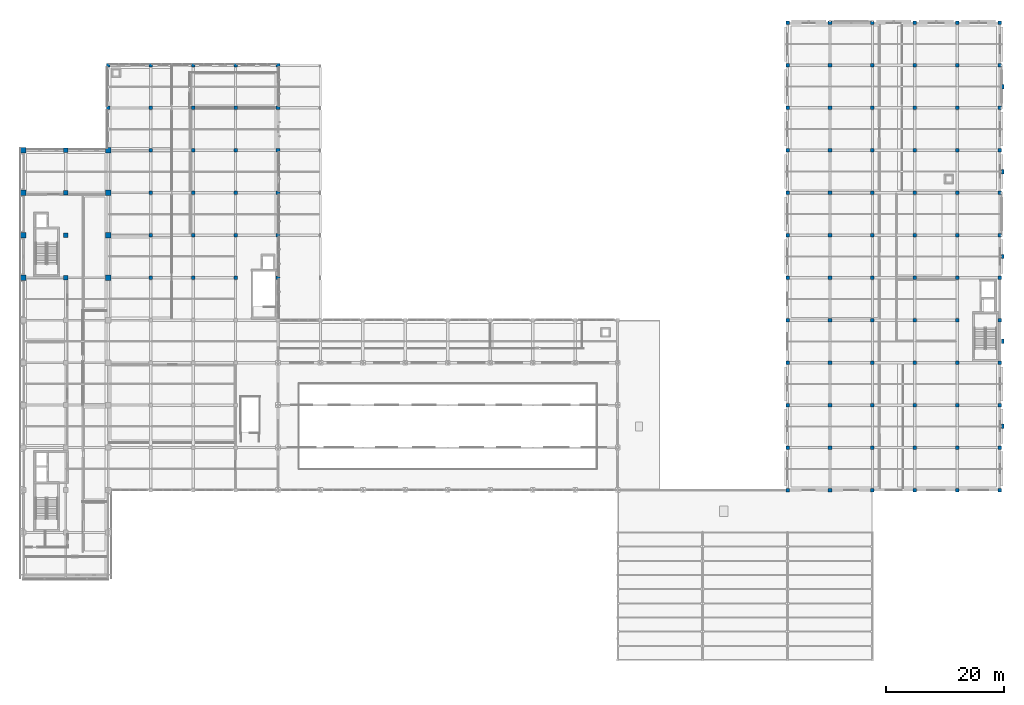
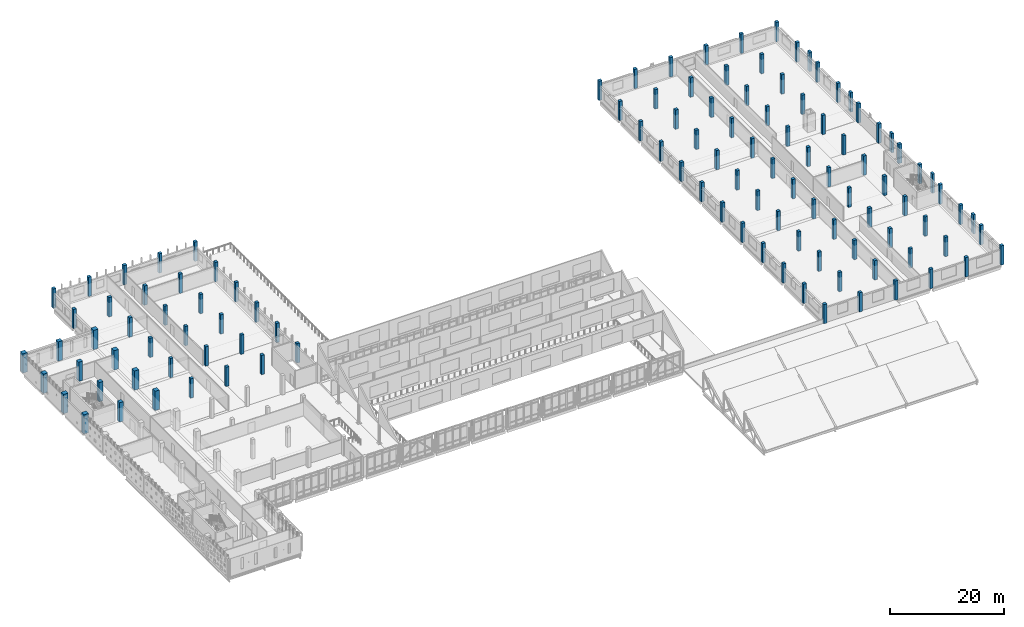
# One storey, part 6 of 62: 115 columns.
"""IFC4 building model written with IfcOpenShell, lengths in metres."""

from ifc_helpers import new_model, si_unit, direction, frame, origin, origin_2d, place, context, subcontext, project, spatial, rectangle, extrude, material, material_profile, profile_set, type_object, element, save


model = new_model("IFC4")

# Units and contexts
model_context = context("Model", 3, precision=1e-05, world=origin(), true_north=direction((0.0, 1.0)))
body_context = subcontext(model_context, "Body", "Model", "MODEL_VIEW")
ifc_project = project(units=[si_unit("LENGTHUNIT", "METRE"), si_unit("AREAUNIT", "SQUARE_METRE"), si_unit("VOLUMEUNIT", "CUBIC_METRE"), si_unit("PLANEANGLEUNIT", "RADIAN"), si_unit("MASSUNIT", "GRAM", prefix="KILO")], contexts=[model_context])

# Site, building, storey
site_placement = place(None, origin())
site = spatial("IfcSite", under=ifc_project, at=site_placement, CompositionType="ELEMENT")
building_placement = place(site_placement, origin())
building = spatial("IfcBuilding", under=site, at=building_placement, Name="Valkovuoma Quantum and Materials Research Institute", CompositionType="ELEMENT")
storey_placement = place(building_placement, frame((0.0, 0.0, 13.1201171875)))
storey = spatial("IfcBuildingStorey", under=building, at=storey_placement, Name="L03", CompositionType="ELEMENT", Elevation=13.1201171875)

# Columns
ifc_material_1 = material(Name="Concrete C40/50", Category="concrete")
ifc_material_profile_1 = material_profile(ifc_material_1, rectangle(XDim=0.449951171875, YDim=0.75, at=origin_2d()), Name="Concrete C40/50")
ifc_profile_set_1 = profile_set([ifc_material_profile_1], Name="Concrete C40/50")
column_type_1 = type_object("IfcColumnType", Name="Col-C-PIL750", PredefinedType="PILASTER", material=ifc_profile_set_1)
for number, where, z_axis, x_axis, name in (
    (1, (166.080078125, 46.800048828125, 0.0), (0.0, 0.0, 1.0), (1.0, 0.0, 0.0), "L03 service spine pilaster 01"),
    (2, (166.080078125, 61.199951171875, 0.0), (0.0, 0.0, 1.0), (1.0, 0.0, 0.0), "L03 service spine pilaster 02"),
    (3, (166.080078125, 75.60009765625, 0.0), (0.0, 0.0, 1.0), (1.0, 0.0, 0.0), "L03 service spine pilaster 03"),
    (4, (166.080078125, 90.0, 0.0), (0.0, 0.0, 1.0), (1.0, 0.0, 0.0), "L03 service spine pilaster 04"),
    (5, (166.080078125, 104.39990234375, 0.0), (0.0, 0.0, 1.0), (1.0, 0.0, 0.0), "L03 service spine pilaster 05"),
):
    element("IfcColumn", number, at=place(storey_placement, frame(where, z_axis=z_axis, x_axis=x_axis)), inside=storey, type_object=column_type_1, Name=name, PredefinedType="PILASTER", context=body_context, shape_type="SweptSolid", body=[
        extrude(rectangle(XDim=0.449951171875, YDim=0.75, at=origin_2d()), origin(), (0.0, 0.0, 1.0), 4.159912109375),
    ])
ifc_material_2 = material(Name="Concrete C40/50", Category="concrete")
ifc_material_profile_2 = material_profile(ifc_material_2, rectangle(XDim=0.60009765625, YDim=0.60009765625, at=origin_2d()), Name="Concrete C40/50")
ifc_profile_set_2 = profile_set([ifc_material_profile_2], Name="Concrete C40/50")
column_type_2 = type_object("IfcColumnType", Name="Col-C-RC600", PredefinedType="COLUMN", material=ifc_profile_set_2)
for number, where, z_axis, x_axis, name in (
    (6, (14.39990234375, 100.800048828125, 0.0), (0.0, 0.0, 1.0), (1.0, 0.0, 0.0), "L03 column 03Q"),
    (7, (14.39990234375, 108.0, 0.0), (0.0, 0.0, 1.0), (1.0, 0.0, 0.0), "L03 column 03R"),
    (8, (21.60009765625, 72.0, 0.0), (0.0, 0.0, 1.0), (1.0, 0.0, 0.0), "L03 column 04L"),
    (9, (21.60009765625, 79.199951171875, 0.0), (0.0, 0.0, 1.0), (1.0, 0.0, 0.0), "L03 column 04M"),
    (10, (21.60009765625, 86.39990234375, 0.0), (0.0, 0.0, 1.0), (1.0, 0.0, 0.0), "L03 column 04N"),
    (11, (21.60009765625, 93.60009765625, 0.0), (0.0, 0.0, 1.0), (1.0, 0.0, 0.0), "L03 column 04P"),
    (12, (21.60009765625, 100.800048828125, 0.0), (0.0, 0.0, 1.0), (1.0, 0.0, 0.0), "L03 column 04Q"),
    (13, (21.60009765625, 108.0, 0.0), (0.0, 0.0, 1.0), (1.0, 0.0, 0.0), "L03 column 04R"),
    (14, (28.800048828125, 72.0, 0.0), (0.0, 0.0, 1.0), (1.0, 0.0, 0.0), "L03 column 05L"),
    (15, (28.800048828125, 79.199951171875, 0.0), (0.0, 0.0, 1.0), (1.0, 0.0, 0.0), "L03 column 05M"),
    (16, (28.800048828125, 86.39990234375, 0.0), (0.0, 0.0, 1.0), (1.0, 0.0, 0.0), "L03 column 05N"),
    (17, (28.800048828125, 93.60009765625, 0.0), (0.0, 0.0, 1.0), (1.0, 0.0, 0.0), "L03 column 05P"),
    (18, (28.800048828125, 100.800048828125, 0.0), (0.0, 0.0, 1.0), (1.0, 0.0, 0.0), "L03 column 05Q"),
    (19, (28.800048828125, 108.0, 0.0), (0.0, 0.0, 1.0), (1.0, 0.0, 0.0), "L03 column 05R"),
    (20, (36.0, 72.0, 0.0), (0.0, 0.0, 1.0), (1.0, 0.0, 0.0), "L03 column 06L"),
    (21, (36.0, 79.199951171875, 0.0), (0.0, 0.0, 1.0), (1.0, 0.0, 0.0), "L03 column 06M"),
    (22, (36.0, 86.39990234375, 0.0), (0.0, 0.0, 1.0), (1.0, 0.0, 0.0), "L03 column 06N"),
    (23, (36.0, 93.60009765625, 0.0), (0.0, 0.0, 1.0), (1.0, 0.0, 0.0), "L03 column 06P"),
    (24, (36.0, 100.800048828125, 0.0), (0.0, 0.0, 1.0), (1.0, 0.0, 0.0), "L03 column 06Q"),
    (25, (36.0, 108.0, 0.0), (0.0, 0.0, 1.0), (1.0, 0.0, 0.0), "L03 column 06R"),
    (26, (43.199951171875, 72.0, 0.0), (0.0, 0.0, 1.0), (1.0, 0.0, 0.0), "L03 column 07L"),
    (27, (43.199951171875, 79.199951171875, 0.0), (0.0, 0.0, 1.0), (1.0, 0.0, 0.0), "L03 column 07M"),
    (28, (43.199951171875, 86.39990234375, 0.0), (0.0, 0.0, 1.0), (1.0, 0.0, 0.0), "L03 column 07N"),
    (29, (43.199951171875, 93.60009765625, 0.0), (0.0, 0.0, 1.0), (1.0, 0.0, 0.0), "L03 column 07P"),
    (30, (43.199951171875, 100.800048828125, 0.0), (0.0, 0.0, 1.0), (1.0, 0.0, 0.0), "L03 column 07Q"),
    (31, (43.199951171875, 108.0, 0.0), (0.0, 0.0, 1.0), (1.0, 0.0, 0.0), "L03 column 07R"),
    (32, (129.60009765625, 36.0, 0.0), (0.0, 0.0, 1.0), (1.0, 0.0, 0.0), "L03 column 19F"),
    (33, (129.60009765625, 43.199951171875, 0.0), (0.0, 0.0, 1.0), (1.0, 0.0, 0.0), "L03 column 19G"),
    (34, (129.60009765625, 50.39990234375, 0.0), (0.0, 0.0, 1.0), (1.0, 0.0, 0.0), "L03 column 19H"),
    (35, (129.60009765625, 57.60009765625, 0.0), (0.0, 0.0, 1.0), (1.0, 0.0, 0.0), "L03 column 19J"),
    (36, (129.60009765625, 64.800048828125, 0.0), (0.0, 0.0, 1.0), (1.0, 0.0, 0.0), "L03 column 19K"),
    (37, (129.60009765625, 72.0, 0.0), (0.0, 0.0, 1.0), (1.0, 0.0, 0.0), "L03 column 19L"),
    (38, (129.60009765625, 79.199951171875, 0.0), (0.0, 0.0, 1.0), (1.0, 0.0, 0.0), "L03 column 19M"),
    (39, (129.60009765625, 86.39990234375, 0.0), (0.0, 0.0, 1.0), (1.0, 0.0, 0.0), "L03 column 19N"),
    (40, (129.60009765625, 93.60009765625, 0.0), (0.0, 0.0, 1.0), (1.0, 0.0, 0.0), "L03 column 19P"),
    (41, (129.60009765625, 100.800048828125, 0.0), (0.0, 0.0, 1.0), (1.0, 0.0, 0.0), "L03 column 19Q"),
    (42, (129.60009765625, 108.0, 0.0), (0.0, 0.0, 1.0), (1.0, 0.0, 0.0), "L03 column 19R"),
    (43, (129.60009765625, 115.199951171875, 0.0), (0.0, 0.0, 1.0), (1.0, 0.0, 0.0), "L03 column 19S"),
    (44, (136.800048828125, 36.0, 0.0), (0.0, 0.0, 1.0), (1.0, 0.0, 0.0), "L03 column 20F"),
    (45, (136.800048828125, 43.199951171875, 0.0), (0.0, 0.0, 1.0), (1.0, 0.0, 0.0), "L03 column 20G"),
    (46, (136.800048828125, 50.39990234375, 0.0), (0.0, 0.0, 1.0), (1.0, 0.0, 0.0), "L03 column 20H"),
    (47, (136.800048828125, 57.60009765625, 0.0), (0.0, 0.0, 1.0), (1.0, 0.0, 0.0), "L03 column 20J"),
    (48, (136.800048828125, 64.800048828125, 0.0), (0.0, 0.0, 1.0), (1.0, 0.0, 0.0), "L03 column 20K"),
    (49, (136.800048828125, 72.0, 0.0), (0.0, 0.0, 1.0), (1.0, 0.0, 0.0), "L03 column 20L"),
    (50, (136.800048828125, 79.199951171875, 0.0), (0.0, 0.0, 1.0), (1.0, 0.0, 0.0), "L03 column 20M"),
    (51, (136.800048828125, 86.39990234375, 0.0), (0.0, 0.0, 1.0), (1.0, 0.0, 0.0), "L03 column 20N"),
    (52, (136.800048828125, 93.60009765625, 0.0), (0.0, 0.0, 1.0), (1.0, 0.0, 0.0), "L03 column 20P"),
    (53, (136.800048828125, 100.800048828125, 0.0), (0.0, 0.0, 1.0), (1.0, 0.0, 0.0), "L03 column 20Q"),
    (54, (136.800048828125, 108.0, 0.0), (0.0, 0.0, 1.0), (1.0, 0.0, 0.0), "L03 column 20R"),
    (55, (136.800048828125, 115.199951171875, 0.0), (0.0, 0.0, 1.0), (1.0, 0.0, 0.0), "L03 column 20S"),
    (56, (144.0, 36.0, 0.0), (0.0, 0.0, 1.0), (1.0, 0.0, 0.0), "L03 column 21F"),
    (57, (144.0, 43.199951171875, 0.0), (0.0, 0.0, 1.0), (1.0, 0.0, 0.0), "L03 column 21G"),
    (58, (144.0, 50.39990234375, 0.0), (0.0, 0.0, 1.0), (1.0, 0.0, 0.0), "L03 column 21H"),
    (59, (144.0, 57.60009765625, 0.0), (0.0, 0.0, 1.0), (1.0, 0.0, 0.0), "L03 column 21J"),
    (60, (144.0, 64.800048828125, 0.0), (0.0, 0.0, 1.0), (1.0, 0.0, 0.0), "L03 column 21K"),
    (61, (144.0, 72.0, 0.0), (0.0, 0.0, 1.0), (1.0, 0.0, 0.0), "L03 column 21L"),
    (62, (144.0, 79.199951171875, 0.0), (0.0, 0.0, 1.0), (1.0, 0.0, 0.0), "L03 column 21M"),
    (63, (144.0, 86.39990234375, 0.0), (0.0, 0.0, 1.0), (1.0, 0.0, 0.0), "L03 column 21N"),
    (64, (144.0, 93.60009765625, 0.0), (0.0, 0.0, 1.0), (1.0, 0.0, 0.0), "L03 column 21P"),
    (65, (144.0, 100.800048828125, 0.0), (0.0, 0.0, 1.0), (1.0, 0.0, 0.0), "L03 column 21Q"),
    (66, (144.0, 108.0, 0.0), (0.0, 0.0, 1.0), (1.0, 0.0, 0.0), "L03 column 21R"),
    (67, (144.0, 115.199951171875, 0.0), (0.0, 0.0, 1.0), (1.0, 0.0, 0.0), "L03 column 21S"),
    (68, (151.199951171875, 36.0, 0.0), (0.0, 0.0, 1.0), (1.0, 0.0, 0.0), "L03 column 22F"),
    (69, (151.199951171875, 43.199951171875, 0.0), (0.0, 0.0, 1.0), (1.0, 0.0, 0.0), "L03 column 22G"),
    (70, (151.199951171875, 50.39990234375, 0.0), (0.0, 0.0, 1.0), (1.0, 0.0, 0.0), "L03 column 22H"),
    (71, (151.199951171875, 57.60009765625, 0.0), (0.0, 0.0, 1.0), (1.0, 0.0, 0.0), "L03 column 22J"),
    (72, (151.199951171875, 64.800048828125, 0.0), (0.0, 0.0, 1.0), (1.0, 0.0, 0.0), "L03 column 22K"),
    (73, (151.199951171875, 72.0, 0.0), (0.0, 0.0, 1.0), (1.0, 0.0, 0.0), "L03 column 22L"),
    (74, (151.199951171875, 79.199951171875, 0.0), (0.0, 0.0, 1.0), (1.0, 0.0, 0.0), "L03 column 22M"),
    (75, (151.199951171875, 86.39990234375, 0.0), (0.0, 0.0, 1.0), (1.0, 0.0, 0.0), "L03 column 22N"),
    (76, (151.199951171875, 93.60009765625, 0.0), (0.0, 0.0, 1.0), (1.0, 0.0, 0.0), "L03 column 22P"),
    (77, (151.199951171875, 100.800048828125, 0.0), (0.0, 0.0, 1.0), (1.0, 0.0, 0.0), "L03 column 22Q"),
    (78, (151.199951171875, 108.0, 0.0), (0.0, 0.0, 1.0), (1.0, 0.0, 0.0), "L03 column 22R"),
    (79, (151.199951171875, 115.199951171875, 0.0), (0.0, 0.0, 1.0), (1.0, 0.0, 0.0), "L03 column 22S"),
    (80, (158.39990234375, 36.0, 0.0), (0.0, 0.0, 1.0), (1.0, 0.0, 0.0), "L03 column 23F"),
    (81, (158.39990234375, 43.199951171875, 0.0), (0.0, 0.0, 1.0), (1.0, 0.0, 0.0), "L03 column 23G"),
    (82, (158.39990234375, 50.39990234375, 0.0), (0.0, 0.0, 1.0), (1.0, 0.0, 0.0), "L03 column 23H"),
    (83, (158.39990234375, 57.60009765625, 0.0), (0.0, 0.0, 1.0), (1.0, 0.0, 0.0), "L03 column 23J"),
    (84, (158.39990234375, 64.800048828125, 0.0), (0.0, 0.0, 1.0), (1.0, 0.0, 0.0), "L03 column 23K"),
    (85, (158.39990234375, 72.0, 0.0), (0.0, 0.0, 1.0), (1.0, 0.0, 0.0), "L03 column 23L"),
    (86, (158.39990234375, 79.199951171875, 0.0), (0.0, 0.0, 1.0), (1.0, 0.0, 0.0), "L03 column 23M"),
    (87, (158.39990234375, 86.39990234375, 0.0), (0.0, 0.0, 1.0), (1.0, 0.0, 0.0), "L03 column 23N"),
    (88, (158.39990234375, 93.60009765625, 0.0), (0.0, 0.0, 1.0), (1.0, 0.0, 0.0), "L03 column 23P"),
    (89, (158.39990234375, 100.800048828125, 0.0), (0.0, 0.0, 1.0), (1.0, 0.0, 0.0), "L03 column 23Q"),
    (90, (158.39990234375, 108.0, 0.0), (0.0, 0.0, 1.0), (1.0, 0.0, 0.0), "L03 column 23R"),
    (91, (158.39990234375, 115.199951171875, 0.0), (0.0, 0.0, 1.0), (1.0, 0.0, 0.0), "L03 column 23S"),
    (92, (165.60009765625, 36.0, 0.0), (0.0, 0.0, 1.0), (1.0, 0.0, 0.0), "L03 column 24F"),
    (93, (165.60009765625, 43.199951171875, 0.0), (0.0, 0.0, 1.0), (1.0, 0.0, 0.0), "L03 column 24G"),
    (94, (165.60009765625, 50.39990234375, 0.0), (0.0, 0.0, 1.0), (1.0, 0.0, 0.0), "L03 column 24H"),
    (95, (165.60009765625, 57.60009765625, 0.0), (0.0, 0.0, 1.0), (1.0, 0.0, 0.0), "L03 column 24J"),
    (96, (165.60009765625, 64.800048828125, 0.0), (0.0, 0.0, 1.0), (1.0, 0.0, 0.0), "L03 column 24K"),
    (97, (165.60009765625, 72.0, 0.0), (0.0, 0.0, 1.0), (1.0, 0.0, 0.0), "L03 column 24L"),
    (98, (165.60009765625, 79.199951171875, 0.0), (0.0, 0.0, 1.0), (1.0, 0.0, 0.0), "L03 column 24M"),
    (99, (165.60009765625, 86.39990234375, 0.0), (0.0, 0.0, 1.0), (1.0, 0.0, 0.0), "L03 column 24N"),
    (100, (165.60009765625, 93.60009765625, 0.0), (0.0, 0.0, 1.0), (1.0, 0.0, 0.0), "L03 column 24P"),
    (101, (165.60009765625, 100.800048828125, 0.0), (0.0, 0.0, 1.0), (1.0, 0.0, 0.0), "L03 column 24Q"),
    (102, (165.60009765625, 108.0, 0.0), (0.0, 0.0, 1.0), (1.0, 0.0, 0.0), "L03 column 24R"),
    (103, (165.60009765625, 115.199951171875, 0.0), (0.0, 0.0, 1.0), (1.0, 0.0, 0.0), "L03 column 24S"),
):
    element("IfcColumn", number, at=place(storey_placement, frame(where, z_axis=z_axis, x_axis=x_axis)), inside=storey, type_object=column_type_2, Name=name, PredefinedType="COLUMN", context=body_context, shape_type="SweptSolid", body=[
        extrude(rectangle(XDim=0.60009765625, YDim=0.60009765625, at=origin_2d()), origin(), (0.0, 0.0, 1.0), 4.159912109375),
    ])
ifc_material_3 = material(Name="Concrete C50/60", Category="concrete")
ifc_material_profile_3 = material_profile(ifc_material_3, rectangle(XDim=0.800048828125, YDim=0.800048828125, at=origin_2d()), Name="Concrete C50/60")
ifc_profile_set_3 = profile_set([ifc_material_profile_3], Name="Concrete C50/60")
column_type_3 = type_object("IfcColumnType", Name="Col-C-RC800", PredefinedType="COLUMN", material=ifc_profile_set_3)
for number, where, z_axis, x_axis, name in (
    (104, (7.199951171875, 72.0, 0.0), (0.0, 0.0, 1.0), (1.0, 0.0, 0.0), "L03 column 02L"),
    (105, (7.199951171875, 79.199951171875, 0.0), (0.0, 0.0, 1.0), (1.0, 0.0, 0.0), "L03 column 02M"),
    (106, (7.199951171875, 86.39990234375, 0.0), (0.0, 0.0, 1.0), (1.0, 0.0, 0.0), "L03 column 02N"),
    (107, (7.199951171875, 93.60009765625, 0.0), (0.0, 0.0, 1.0), (1.0, 0.0, 0.0), "L03 column 02P"),
):
    element("IfcColumn", number, at=place(storey_placement, frame(where, z_axis=z_axis, x_axis=x_axis)), inside=storey, type_object=column_type_3, Name=name, PredefinedType="COLUMN", context=body_context, shape_type="SweptSolid", body=[
        extrude(rectangle(XDim=0.800048828125, YDim=0.800048828125, at=origin_2d()), origin(), (0.0, 0.0, 1.0), 4.159912109375),
    ])
ifc_material_4 = material(Name="Concrete C50/60", Category="concrete")
ifc_material_profile_4 = material_profile(ifc_material_4, rectangle(XDim=0.89990234375, YDim=0.89990234375, at=origin_2d()), Name="Concrete C50/60")
ifc_profile_set_4 = profile_set([ifc_material_profile_4], Name="Concrete C50/60")
column_type_4 = type_object("IfcColumnType", Name="Col-C-RC900", PredefinedType="COLUMN", material=ifc_profile_set_4)
for number, where, z_axis, x_axis, name in (
    (108, (0.0, 72.0, 0.0), (0.0, 0.0, 1.0), (1.0, 0.0, 0.0), "L03 column 01L"),
    (109, (0.0, 79.199951171875, 0.0), (0.0, 0.0, 1.0), (1.0, 0.0, 0.0), "L03 column 01M"),
    (110, (0.0, 86.39990234375, 0.0), (0.0, 0.0, 1.0), (1.0, 0.0, 0.0), "L03 column 01N"),
    (111, (0.0, 93.60009765625, 0.0), (0.0, 0.0, 1.0), (1.0, 0.0, 0.0), "L03 column 01P"),
    (112, (14.39990234375, 72.0, 0.0), (0.0, 0.0, 1.0), (1.0, 0.0, 0.0), "L03 column 03L"),
    (113, (14.39990234375, 79.199951171875, 0.0), (0.0, 0.0, 1.0), (1.0, 0.0, 0.0), "L03 column 03M"),
    (114, (14.39990234375, 86.39990234375, 0.0), (0.0, 0.0, 1.0), (1.0, 0.0, 0.0), "L03 column 03N"),
    (115, (14.39990234375, 93.60009765625, 0.0), (0.0, 0.0, 1.0), (1.0, 0.0, 0.0), "L03 column 03P"),
):
    element("IfcColumn", number, at=place(storey_placement, frame(where, z_axis=z_axis, x_axis=x_axis)), inside=storey, type_object=column_type_4, Name=name, PredefinedType="COLUMN", context=body_context, shape_type="SweptSolid", body=[
        extrude(rectangle(XDim=0.89990234375, YDim=0.89990234375, at=origin_2d()), origin(), (0.0, 0.0, 1.0), 4.159912109375),
    ])

save(model, "model.ifc")
